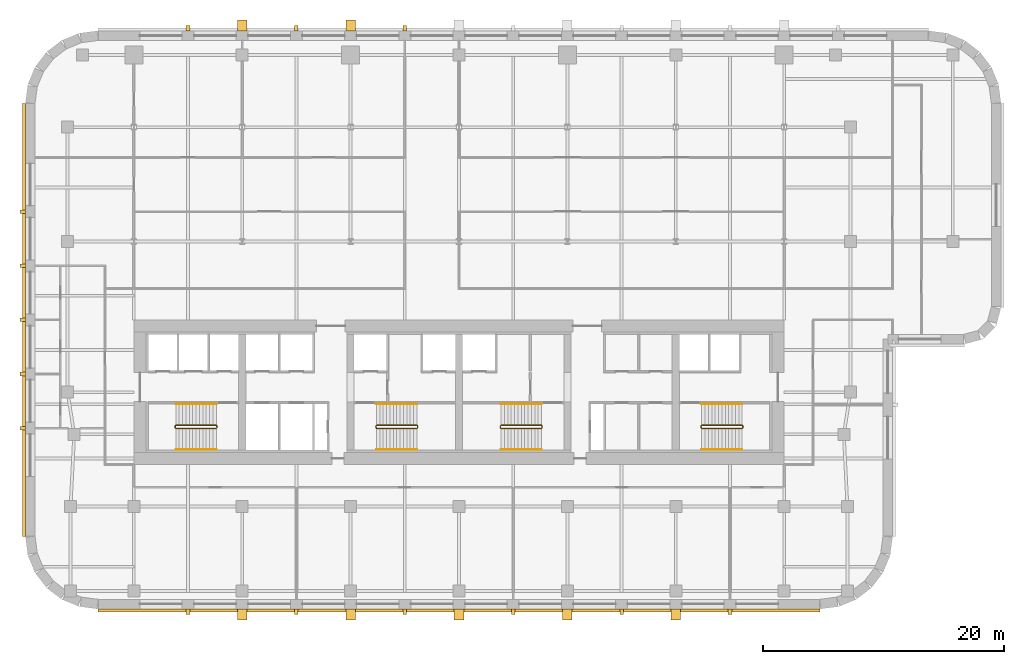
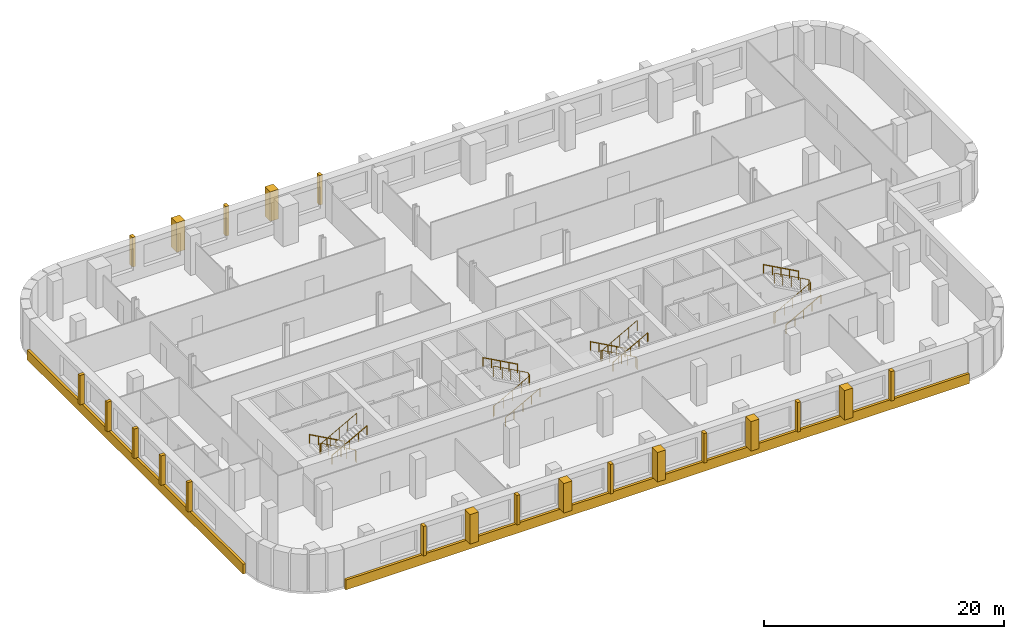
# One storey, part 9 of 10: 23 coverings, 12 railings.
"""IFC4 building model written with IfcOpenShell, lengths in metres."""

from ifc_helpers import new_model, si_unit, direction, frame, origin, origin_2d, place, context, subcontext, project, spatial, polyline, circle, outline, extrude, material, layer, layer_set, type_object, element, save


model = new_model("IFC4")

# Units and contexts
model_context = context("Model", 3, precision=1e-05, world=origin(), true_north=direction((0.0, 1.0)))
body_context = subcontext(model_context, "Body", "Model", "MODEL_VIEW")
ifc_project = project(units=[si_unit("LENGTHUNIT", "METRE"), si_unit("AREAUNIT", "SQUARE_METRE"), si_unit("VOLUMEUNIT", "CUBIC_METRE"), si_unit("PLANEANGLEUNIT", "RADIAN"), si_unit("MASSUNIT", "GRAM", prefix="KILO")], contexts=[model_context])

# Site, building, storey
site_placement = place(None, origin())
site = spatial("IfcSite", under=ifc_project, at=site_placement, CompositionType="ELEMENT")
building_placement = place(site_placement, origin())
building = spatial("IfcBuilding", under=site, at=building_placement, Name="Zellij Exchange Tower", CompositionType="ELEMENT")
storey_placement = place(building_placement, frame((0.0, 0.0, 128.5)))
storey = spatial("IfcBuildingStorey", under=building, at=storey_placement, Name="L28", CompositionType="ELEMENT", Elevation=128.5)

# Railings
ifc_material_1 = material(Name="Stainless steel", Category="steel")
railing_type_1 = type_object("IfcRailingType", Name="CORE-RG stair guard", PredefinedType="GUARDRAIL", material=ifc_material_1)
railing_1_placement = place(storey_placement, frame((-20.10009765625, -10.800048828125, 0.0)))
element("IfcRailing", 1, at=railing_1_placement, inside=storey, type_object=railing_type_1, Name="ST1 stair guard L28", PredefinedType="GUARDRAIL", context=body_context, shape_type="SweptSolid", body=[
    extrude(circle(Radius=0.02392578125, at=origin_2d()), frame((0.0, 0.0, 1.076171875), z_axis=(0.0, -1.0, 0.0), x_axis=(1.0, 0.0, 0.0)), (0.0, 0.0, 1.0), 0.14990234375),
    extrude(circle(Radius=0.02392578125, at=origin_2d()), frame((0.0, -0.14990234375, 1.076171875), z_axis=(-0.193691321961, 0.777613689637, 0.598164376644), x_axis=(-0.970351222016, -0.241699205484, 0.0)), (0.0, 0.0, 1.0), 0.257080078125),
    extrude(circle(Radius=0.02392578125, at=origin_2d()), frame((-0.0498046875, 0.050048828125, 1.22998046875), z_axis=(-0.876421534553, 0.0, 0.481544695509), x_axis=(0.0, -1.0, 0.0)), (0.0, 0.0, 1.0), 3.833984375),
    extrude(circle(Radius=0.02392578125, at=origin_2d()), frame((-3.409912109375, 0.050048828125, 3.076171875), z_axis=(-0.707106781187, -0.707106781187, 0.0), x_axis=(0.707106781187, -0.707106781187, 0.0)), (0.0, 0.0, 1.0), 0.07080078125),
    extrude(circle(Radius=0.02392578125, at=origin_2d()), frame((-3.4599609375, 0.0, 3.076171875), z_axis=(0.0, -1.0, 0.0), x_axis=(1.0, 0.0, 0.0)), (0.0, 0.0, 1.0), 0.14990234375),
    extrude(circle(Radius=0.02392578125, at=origin_2d()), frame((-3.4599609375, -0.14990234375, 3.076171875), z_axis=(0.295599637079, -0.295599637079, 0.908428152975), x_axis=(0.707106781187, 0.707106781187, 0.0)), (0.0, 0.0, 1.0), 0.16943359375),
    extrude(circle(Radius=0.02392578125, at=origin_2d()), frame((-3.409912109375, -0.199951171875, 3.22998046875), z_axis=(0.876421534553, 0.0, 0.481544695509), x_axis=(0.0, 1.0, 0.0)), (0.0, 0.0, 1.0), 3.833984375),
    extrude(circle(Radius=0.02099609375, at=origin_2d()), origin(), (0.0, 0.0, 1.0), 1.052001953125),
    extrude(circle(Radius=0.02099609375, at=origin_2d()), frame((0.0, -0.14990234375, 0.0)), (0.0, 0.0, 1.0), 1.052001953125),
    extrude(circle(Radius=0.02099609375, at=origin_2d()), frame((-0.0498046875, 0.050048828125, 0.15380859375)), (0.0, 0.0, 1.0), 1.052001953125),
    extrude(circle(Radius=0.02099609375, at=origin_2d()), frame((-0.889892578125, 0.050048828125, 0.615234375)), (0.0, 0.0, 1.0), 1.052001953125),
    extrude(circle(Radius=0.02099609375, at=origin_2d()), frame((-1.72998046875, 0.050048828125, 1.076904296875)), (0.0, 0.0, 1.0), 1.052001953125),
    extrude(circle(Radius=0.02099609375, at=origin_2d()), frame((-2.56982421875, 0.050048828125, 1.53857421875)), (0.0, 0.0, 1.0), 1.052001953125),
    extrude(circle(Radius=0.02099609375, at=origin_2d()), frame((-3.409912109375, 0.050048828125, 2.0)), (0.0, 0.0, 1.0), 1.052001953125),
    extrude(circle(Radius=0.02099609375, at=origin_2d()), frame((-3.4599609375, 0.0, 2.0)), (0.0, 0.0, 1.0), 1.052001953125),
    extrude(circle(Radius=0.02099609375, at=origin_2d()), frame((-3.4599609375, -0.14990234375, 2.0)), (0.0, 0.0, 1.0), 1.052001953125),
    extrude(circle(Radius=0.02099609375, at=origin_2d()), frame((-3.409912109375, -0.199951171875, 2.15380859375)), (0.0, 0.0, 1.0), 1.052001953125),
    extrude(circle(Radius=0.02099609375, at=origin_2d()), frame((-2.56982421875, -0.199951171875, 2.615234375)), (0.0, 0.0, 1.0), 1.052001953125),
    extrude(circle(Radius=0.02099609375, at=origin_2d()), frame((-1.72998046875, -0.199951171875, 3.076904296875)), (0.0, 0.0, 1.0), 1.052001953125),
    extrude(circle(Radius=0.02099609375, at=origin_2d()), frame((-0.889892578125, -0.199951171875, 3.53857421875)), (0.0, 0.0, 1.0), 1.052001953125),
    extrude(circle(Radius=0.02099609375, at=origin_2d()), frame((-0.0498046875, -0.199951171875, 4.0)), (0.0, 0.0, 1.0), 1.052001953125),
])
railing_2_placement = place(storey_placement, frame((-6.89990234375, -10.949951171875, 0.0)))
element("IfcRailing", 2, at=railing_2_placement, inside=storey, type_object=railing_type_1, Name="ST2 stair guard L28", PredefinedType="GUARDRAIL", context=body_context, shape_type="SweptSolid", body=[
    extrude(circle(Radius=0.02392578125, at=origin_2d()), frame((0.0, 0.0, 1.076171875), z_axis=(0.0, 1.0, 0.0), x_axis=(-1.0, 0.0, 0.0)), (0.0, 0.0, 1.0), 0.14990234375),
    extrude(circle(Radius=0.02392578125, at=origin_2d()), frame((0.0, 0.14990234375, 1.076171875), z_axis=(0.193691321961, -0.777613689637, 0.598164376644), x_axis=(0.970351222016, 0.241699205484, 0.0)), (0.0, 0.0, 1.0), 0.257080078125),
    extrude(circle(Radius=0.02392578125, at=origin_2d()), frame((0.0498046875, -0.050048828125, 1.22998046875), z_axis=(0.876421534553, 0.0, 0.481544695509), x_axis=(0.0, 1.0, 0.0)), (0.0, 0.0, 1.0), 3.833984375),
    extrude(circle(Radius=0.02392578125, at=origin_2d()), frame((3.409912109375, -0.050048828125, 3.076171875), z_axis=(0.707106781187, 0.707106781187, 0.0), x_axis=(-0.707106781187, 0.707106781187, 0.0)), (0.0, 0.0, 1.0), 0.07080078125),
    extrude(circle(Radius=0.02392578125, at=origin_2d()), frame((3.4599609375, 0.0, 3.076171875), z_axis=(0.0, 1.0, 0.0), x_axis=(-1.0, 0.0, 0.0)), (0.0, 0.0, 1.0), 0.14990234375),
    extrude(circle(Radius=0.02392578125, at=origin_2d()), frame((3.4599609375, 0.14990234375, 3.076171875), z_axis=(-0.295599637079, 0.295599637079, 0.908428152975), x_axis=(-0.707106781187, -0.707106781187, 0.0)), (0.0, 0.0, 1.0), 0.16943359375),
    extrude(circle(Radius=0.02392578125, at=origin_2d()), frame((3.409912109375, 0.199951171875, 3.22998046875), z_axis=(-0.876421534553, 0.0, 0.481544695509), x_axis=(0.0, -1.0, 0.0)), (0.0, 0.0, 1.0), 3.833984375),
    extrude(circle(Radius=0.02099609375, at=origin_2d()), origin(), (0.0, 0.0, 1.0), 1.052001953125),
    extrude(circle(Radius=0.02099609375, at=origin_2d()), frame((0.0, 0.14990234375, 0.0)), (0.0, 0.0, 1.0), 1.052001953125),
    extrude(circle(Radius=0.02099609375, at=origin_2d()), frame((0.0498046875, -0.050048828125, 0.15380859375)), (0.0, 0.0, 1.0), 1.052001953125),
    extrude(circle(Radius=0.02099609375, at=origin_2d()), frame((0.889892578125, -0.050048828125, 0.615234375)), (0.0, 0.0, 1.0), 1.052001953125),
    extrude(circle(Radius=0.02099609375, at=origin_2d()), frame((1.72998046875, -0.050048828125, 1.076904296875)), (0.0, 0.0, 1.0), 1.052001953125),
    extrude(circle(Radius=0.02099609375, at=origin_2d()), frame((2.56982421875, -0.050048828125, 1.53857421875)), (0.0, 0.0, 1.0), 1.052001953125),
    extrude(circle(Radius=0.02099609375, at=origin_2d()), frame((3.409912109375, -0.050048828125, 2.0)), (0.0, 0.0, 1.0), 1.052001953125),
    extrude(circle(Radius=0.02099609375, at=origin_2d()), frame((3.4599609375, 0.0, 2.0)), (0.0, 0.0, 1.0), 1.052001953125),
    extrude(circle(Radius=0.02099609375, at=origin_2d()), frame((3.4599609375, 0.14990234375, 2.0)), (0.0, 0.0, 1.0), 1.052001953125),
    extrude(circle(Radius=0.02099609375, at=origin_2d()), frame((3.409912109375, 0.199951171875, 2.15380859375)), (0.0, 0.0, 1.0), 1.052001953125),
    extrude(circle(Radius=0.02099609375, at=origin_2d()), frame((2.56982421875, 0.199951171875, 2.615234375)), (0.0, 0.0, 1.0), 1.052001953125),
    extrude(circle(Radius=0.02099609375, at=origin_2d()), frame((1.72998046875, 0.199951171875, 3.076904296875)), (0.0, 0.0, 1.0), 1.052001953125),
    extrude(circle(Radius=0.02099609375, at=origin_2d()), frame((0.889892578125, 0.199951171875, 3.53857421875)), (0.0, 0.0, 1.0), 1.052001953125),
    extrude(circle(Radius=0.02099609375, at=origin_2d()), frame((0.0498046875, 0.199951171875, 4.0)), (0.0, 0.0, 1.0), 1.052001953125),
])
railing_3_placement = place(storey_placement, frame((6.89990234375, -10.800048828125, 0.0)))
element("IfcRailing", 3, at=railing_3_placement, inside=storey, type_object=railing_type_1, Name="ST3 stair guard L28", PredefinedType="GUARDRAIL", context=body_context, shape_type="SweptSolid", body=[
    extrude(circle(Radius=0.02392578125, at=origin_2d()), frame((0.0, 0.0, 1.076171875), z_axis=(0.0, -1.0, 0.0), x_axis=(1.0, 0.0, 0.0)), (0.0, 0.0, 1.0), 0.14990234375),
    extrude(circle(Radius=0.02392578125, at=origin_2d()), frame((0.0, -0.14990234375, 1.076171875), z_axis=(-0.193691321961, 0.777613689637, 0.598164376644), x_axis=(-0.970351222016, -0.241699205484, 0.0)), (0.0, 0.0, 1.0), 0.257080078125),
    extrude(circle(Radius=0.02392578125, at=origin_2d()), frame((-0.0498046875, 0.050048828125, 1.22998046875), z_axis=(-0.876421534553, 0.0, 0.481544695509), x_axis=(0.0, -1.0, 0.0)), (0.0, 0.0, 1.0), 3.833984375),
    extrude(circle(Radius=0.02392578125, at=origin_2d()), frame((-3.409912109375, 0.050048828125, 3.076171875), z_axis=(-0.707106781187, -0.707106781187, 0.0), x_axis=(0.707106781187, -0.707106781187, 0.0)), (0.0, 0.0, 1.0), 0.07080078125),
    extrude(circle(Radius=0.02392578125, at=origin_2d()), frame((-3.4599609375, 0.0, 3.076171875), z_axis=(0.0, -1.0, 0.0), x_axis=(1.0, 0.0, 0.0)), (0.0, 0.0, 1.0), 0.14990234375),
    extrude(circle(Radius=0.02392578125, at=origin_2d()), frame((-3.4599609375, -0.14990234375, 3.076171875), z_axis=(0.295599637079, -0.295599637079, 0.908428152975), x_axis=(0.707106781187, 0.707106781187, 0.0)), (0.0, 0.0, 1.0), 0.16943359375),
    extrude(circle(Radius=0.02392578125, at=origin_2d()), frame((-3.409912109375, -0.199951171875, 3.22998046875), z_axis=(0.876421534553, 0.0, 0.481544695509), x_axis=(0.0, 1.0, 0.0)), (0.0, 0.0, 1.0), 3.833984375),
    extrude(circle(Radius=0.02099609375, at=origin_2d()), origin(), (0.0, 0.0, 1.0), 1.052001953125),
    extrude(circle(Radius=0.02099609375, at=origin_2d()), frame((0.0, -0.14990234375, 0.0)), (0.0, 0.0, 1.0), 1.052001953125),
    extrude(circle(Radius=0.02099609375, at=origin_2d()), frame((-0.0498046875, 0.050048828125, 0.15380859375)), (0.0, 0.0, 1.0), 1.052001953125),
    extrude(circle(Radius=0.02099609375, at=origin_2d()), frame((-0.889892578125, 0.050048828125, 0.615234375)), (0.0, 0.0, 1.0), 1.052001953125),
    extrude(circle(Radius=0.02099609375, at=origin_2d()), frame((-1.72998046875, 0.050048828125, 1.076904296875)), (0.0, 0.0, 1.0), 1.052001953125),
    extrude(circle(Radius=0.02099609375, at=origin_2d()), frame((-2.56982421875, 0.050048828125, 1.53857421875)), (0.0, 0.0, 1.0), 1.052001953125),
    extrude(circle(Radius=0.02099609375, at=origin_2d()), frame((-3.409912109375, 0.050048828125, 2.0)), (0.0, 0.0, 1.0), 1.052001953125),
    extrude(circle(Radius=0.02099609375, at=origin_2d()), frame((-3.4599609375, 0.0, 2.0)), (0.0, 0.0, 1.0), 1.052001953125),
    extrude(circle(Radius=0.02099609375, at=origin_2d()), frame((-3.4599609375, -0.14990234375, 2.0)), (0.0, 0.0, 1.0), 1.052001953125),
    extrude(circle(Radius=0.02099609375, at=origin_2d()), frame((-3.409912109375, -0.199951171875, 2.15380859375)), (0.0, 0.0, 1.0), 1.052001953125),
    extrude(circle(Radius=0.02099609375, at=origin_2d()), frame((-2.56982421875, -0.199951171875, 2.615234375)), (0.0, 0.0, 1.0), 1.052001953125),
    extrude(circle(Radius=0.02099609375, at=origin_2d()), frame((-1.72998046875, -0.199951171875, 3.076904296875)), (0.0, 0.0, 1.0), 1.052001953125),
    extrude(circle(Radius=0.02099609375, at=origin_2d()), frame((-0.889892578125, -0.199951171875, 3.53857421875)), (0.0, 0.0, 1.0), 1.052001953125),
    extrude(circle(Radius=0.02099609375, at=origin_2d()), frame((-0.0498046875, -0.199951171875, 4.0)), (0.0, 0.0, 1.0), 1.052001953125),
])
railing_4_placement = place(storey_placement, frame((20.10009765625, -10.949951171875, 0.0)))
element("IfcRailing", 4, at=railing_4_placement, inside=storey, type_object=railing_type_1, Name="ST4 stair guard L28", PredefinedType="GUARDRAIL", context=body_context, shape_type="SweptSolid", body=[
    extrude(circle(Radius=0.02392578125, at=origin_2d()), frame((0.0, 0.0, 1.076171875), z_axis=(0.0, 1.0, 0.0), x_axis=(-1.0, 0.0, 0.0)), (0.0, 0.0, 1.0), 0.14990234375),
    extrude(circle(Radius=0.02392578125, at=origin_2d()), frame((0.0, 0.14990234375, 1.076171875), z_axis=(0.193691321961, -0.777613689637, 0.598164376644), x_axis=(0.970351222016, 0.241699205484, 0.0)), (0.0, 0.0, 1.0), 0.257080078125),
    extrude(circle(Radius=0.02392578125, at=origin_2d()), frame((0.0498046875, -0.050048828125, 1.22998046875), z_axis=(0.876421534553, 0.0, 0.481544695509), x_axis=(0.0, 1.0, 0.0)), (0.0, 0.0, 1.0), 3.833984375),
    extrude(circle(Radius=0.02392578125, at=origin_2d()), frame((3.409912109375, -0.050048828125, 3.076171875), z_axis=(0.707106781187, 0.707106781187, 0.0), x_axis=(-0.707106781187, 0.707106781187, 0.0)), (0.0, 0.0, 1.0), 0.07080078125),
    extrude(circle(Radius=0.02392578125, at=origin_2d()), frame((3.4599609375, 0.0, 3.076171875), z_axis=(0.0, 1.0, 0.0), x_axis=(-1.0, 0.0, 0.0)), (0.0, 0.0, 1.0), 0.14990234375),
    extrude(circle(Radius=0.02392578125, at=origin_2d()), frame((3.4599609375, 0.14990234375, 3.076171875), z_axis=(-0.295599637079, 0.295599637079, 0.908428152975), x_axis=(-0.707106781187, -0.707106781187, 0.0)), (0.0, 0.0, 1.0), 0.16943359375),
    extrude(circle(Radius=0.02392578125, at=origin_2d()), frame((3.409912109375, 0.199951171875, 3.22998046875), z_axis=(-0.876421534553, 0.0, 0.481544695509), x_axis=(0.0, -1.0, 0.0)), (0.0, 0.0, 1.0), 3.833984375),
    extrude(circle(Radius=0.02099609375, at=origin_2d()), origin(), (0.0, 0.0, 1.0), 1.052001953125),
    extrude(circle(Radius=0.02099609375, at=origin_2d()), frame((0.0, 0.14990234375, 0.0)), (0.0, 0.0, 1.0), 1.052001953125),
    extrude(circle(Radius=0.02099609375, at=origin_2d()), frame((0.0498046875, -0.050048828125, 0.15380859375)), (0.0, 0.0, 1.0), 1.052001953125),
    extrude(circle(Radius=0.02099609375, at=origin_2d()), frame((0.889892578125, -0.050048828125, 0.615234375)), (0.0, 0.0, 1.0), 1.052001953125),
    extrude(circle(Radius=0.02099609375, at=origin_2d()), frame((1.72998046875, -0.050048828125, 1.076904296875)), (0.0, 0.0, 1.0), 1.052001953125),
    extrude(circle(Radius=0.02099609375, at=origin_2d()), frame((2.56982421875, -0.050048828125, 1.53857421875)), (0.0, 0.0, 1.0), 1.052001953125),
    extrude(circle(Radius=0.02099609375, at=origin_2d()), frame((3.409912109375, -0.050048828125, 2.0)), (0.0, 0.0, 1.0), 1.052001953125),
    extrude(circle(Radius=0.02099609375, at=origin_2d()), frame((3.4599609375, 0.0, 2.0)), (0.0, 0.0, 1.0), 1.052001953125),
    extrude(circle(Radius=0.02099609375, at=origin_2d()), frame((3.4599609375, 0.14990234375, 2.0)), (0.0, 0.0, 1.0), 1.052001953125),
    extrude(circle(Radius=0.02099609375, at=origin_2d()), frame((3.409912109375, 0.199951171875, 2.15380859375)), (0.0, 0.0, 1.0), 1.052001953125),
    extrude(circle(Radius=0.02099609375, at=origin_2d()), frame((2.56982421875, 0.199951171875, 2.615234375)), (0.0, 0.0, 1.0), 1.052001953125),
    extrude(circle(Radius=0.02099609375, at=origin_2d()), frame((1.72998046875, 0.199951171875, 3.076904296875)), (0.0, 0.0, 1.0), 1.052001953125),
    extrude(circle(Radius=0.02099609375, at=origin_2d()), frame((0.889892578125, 0.199951171875, 3.53857421875)), (0.0, 0.0, 1.0), 1.052001953125),
    extrude(circle(Radius=0.02099609375, at=origin_2d()), frame((0.0498046875, 0.199951171875, 4.0)), (0.0, 0.0, 1.0), 1.052001953125),
])
railing_type_2 = type_object("IfcRailingType", Name="CORE-RH stair handrail", PredefinedType="HANDRAIL", material=ifc_material_1)
railing_5_placement = place(storey_placement, frame((-20.14990234375, -9.0, 0.15380859375)))
element("IfcRailing", 5, at=railing_5_placement, inside=storey, type_object=railing_type_2, Name="ST1 stair handrail L28", PredefinedType="HANDRAIL", context=body_context, shape_type="SweptSolid", body=[
    extrude(circle(Radius=0.02392578125, at=origin_2d()), frame((0.0, 0.0, 0.8759765625), z_axis=(-0.876421534553, 0.0, 0.481544695509), x_axis=(0.0, -1.0, 0.0)), (0.0, 0.0, 1.0), 3.833984375),
    extrude(circle(Radius=0.02099609375, at=origin_2d()), origin(), (0.0, 0.0, 1.0), 0.851806640625),
    extrude(circle(Radius=0.02099609375, at=origin_2d()), frame((-0.840087890625, 0.0, 0.46142578125)), (0.0, 0.0, 1.0), 0.851806640625),
    extrude(circle(Radius=0.02099609375, at=origin_2d()), frame((-1.68017578125, 0.0, 0.923095703125)), (0.0, 0.0, 1.0), 0.851806640625),
    extrude(circle(Radius=0.02099609375, at=origin_2d()), frame((-2.52001953125, 0.0, 1.384765625)), (0.0, 0.0, 1.0), 0.851806640625),
    extrude(circle(Radius=0.02099609375, at=origin_2d()), frame((-3.360107421875, 0.0, 1.84619140625)), (0.0, 0.0, 1.0), 0.851806640625),
])
for number, where, name in (
    (6, (-23.510009765625, -12.75, 2.15380859375), "ST1 stair handrail L28"),
    (7, (-6.85009765625, -12.75, 0.15380859375), "ST2 stair handrail L28"),
):
    element("IfcRailing", number, at=place(storey_placement, frame(where)), inside=storey, type_object=railing_type_2, Name=name, PredefinedType="HANDRAIL", context=body_context, shape_type="SweptSolid", body=[
        extrude(circle(Radius=0.02392578125, at=origin_2d()), frame((0.0, 0.0, 0.8759765625), z_axis=(0.876421534553, 0.0, 0.481544695509), x_axis=(0.0, 1.0, 0.0)), (0.0, 0.0, 1.0), 3.833984375),
        extrude(circle(Radius=0.02099609375, at=origin_2d()), origin(), (0.0, 0.0, 1.0), 0.851806640625),
        extrude(circle(Radius=0.02099609375, at=origin_2d()), frame((0.840087890625, 0.0, 0.46142578125)), (0.0, 0.0, 1.0), 0.851806640625),
        extrude(circle(Radius=0.02099609375, at=origin_2d()), frame((1.68017578125, 0.0, 0.923095703125)), (0.0, 0.0, 1.0), 0.851806640625),
        extrude(circle(Radius=0.02099609375, at=origin_2d()), frame((2.52001953125, 0.0, 1.384765625)), (0.0, 0.0, 1.0), 0.851806640625),
        extrude(circle(Radius=0.02099609375, at=origin_2d()), frame((3.360107421875, 0.0, 1.84619140625)), (0.0, 0.0, 1.0), 0.851806640625),
    ])
for number, where, name in (
    (8, (-3.489990234375, -9.0, 2.15380859375), "ST2 stair handrail L28"),
    (9, (6.85009765625, -9.0, 0.15380859375), "ST3 stair handrail L28"),
):
    element("IfcRailing", number, at=place(storey_placement, frame(where)), inside=storey, type_object=railing_type_2, Name=name, PredefinedType="HANDRAIL", context=body_context, shape_type="SweptSolid", body=[
        extrude(circle(Radius=0.02392578125, at=origin_2d()), frame((0.0, 0.0, 0.8759765625), z_axis=(-0.876421534553, 0.0, 0.481544695509), x_axis=(0.0, -1.0, 0.0)), (0.0, 0.0, 1.0), 3.833984375),
        extrude(circle(Radius=0.02099609375, at=origin_2d()), origin(), (0.0, 0.0, 1.0), 0.851806640625),
        extrude(circle(Radius=0.02099609375, at=origin_2d()), frame((-0.840087890625, 0.0, 0.46142578125)), (0.0, 0.0, 1.0), 0.851806640625),
        extrude(circle(Radius=0.02099609375, at=origin_2d()), frame((-1.68017578125, 0.0, 0.923095703125)), (0.0, 0.0, 1.0), 0.851806640625),
        extrude(circle(Radius=0.02099609375, at=origin_2d()), frame((-2.52001953125, 0.0, 1.384765625)), (0.0, 0.0, 1.0), 0.851806640625),
        extrude(circle(Radius=0.02099609375, at=origin_2d()), frame((-3.360107421875, 0.0, 1.84619140625)), (0.0, 0.0, 1.0), 0.851806640625),
    ])
for number, where, name in (
    (10, (3.489990234375, -12.75, 2.15380859375), "ST3 stair handrail L28"),
    (11, (20.14990234375, -12.75, 0.15380859375), "ST4 stair handrail L28"),
):
    element("IfcRailing", number, at=place(storey_placement, frame(where)), inside=storey, type_object=railing_type_2, Name=name, PredefinedType="HANDRAIL", context=body_context, shape_type="SweptSolid", body=[
        extrude(circle(Radius=0.02392578125, at=origin_2d()), frame((0.0, 0.0, 0.8759765625), z_axis=(0.876421534553, 0.0, 0.481544695509), x_axis=(0.0, 1.0, 0.0)), (0.0, 0.0, 1.0), 3.833984375),
        extrude(circle(Radius=0.02099609375, at=origin_2d()), origin(), (0.0, 0.0, 1.0), 0.851806640625),
        extrude(circle(Radius=0.02099609375, at=origin_2d()), frame((0.840087890625, 0.0, 0.46142578125)), (0.0, 0.0, 1.0), 0.851806640625),
        extrude(circle(Radius=0.02099609375, at=origin_2d()), frame((1.68017578125, 0.0, 0.923095703125)), (0.0, 0.0, 1.0), 0.851806640625),
        extrude(circle(Radius=0.02099609375, at=origin_2d()), frame((2.52001953125, 0.0, 1.384765625)), (0.0, 0.0, 1.0), 0.851806640625),
        extrude(circle(Radius=0.02099609375, at=origin_2d()), frame((3.360107421875, 0.0, 1.84619140625)), (0.0, 0.0, 1.0), 0.851806640625),
    ])
railing_6_placement = place(storey_placement, frame((23.510009765625, -9.0, 2.15380859375)))
element("IfcRailing", 12, at=railing_6_placement, inside=storey, type_object=railing_type_2, Name="ST4 stair handrail L28", PredefinedType="HANDRAIL", context=body_context, shape_type="SweptSolid", body=[
    extrude(circle(Radius=0.02392578125, at=origin_2d()), frame((0.0, 0.0, 0.8759765625), z_axis=(-0.876421534553, 0.0, 0.481544695509), x_axis=(0.0, -1.0, 0.0)), (0.0, 0.0, 1.0), 3.833984375),
    extrude(circle(Radius=0.02099609375, at=origin_2d()), origin(), (0.0, 0.0, 1.0), 0.851806640625),
    extrude(circle(Radius=0.02099609375, at=origin_2d()), frame((-0.840087890625, 0.0, 0.46142578125)), (0.0, 0.0, 1.0), 0.851806640625),
    extrude(circle(Radius=0.02099609375, at=origin_2d()), frame((-1.68017578125, 0.0, 0.923095703125)), (0.0, 0.0, 1.0), 0.851806640625),
    extrude(circle(Radius=0.02099609375, at=origin_2d()), frame((-2.52001953125, 0.0, 1.384765625)), (0.0, 0.0, 1.0), 0.851806640625),
    extrude(circle(Radius=0.02099609375, at=origin_2d()), frame((-3.360107421875, 0.0, 1.84619140625)), (0.0, 0.0, 1.0), 0.851806640625),
])

# Coverings
ifc_material_2 = material(Name="Limestone cladding", Category="masonry")
covering_type_1 = type_object("IfcCoveringType", Name="ENV-CV5 Stone pier 800x900", PredefinedType="CLADDING", material=ifc_material_2)
covering_1_placement = place(storey_placement, frame((0.0, 0.0, 0.800048828125)))
element("IfcCovering", 13, at=covering_1_placement, inside=storey, type_object=covering_type_1, Name="Stone pier", PredefinedType="CLADDING", context=body_context, shape_type="SweptSolid", body=[
    extrude(outline(polyline([(-18.39990234375, -26.0), (-17.60009765625, -26.0), (-17.60009765625, -26.89990234375), (-18.39990234375, -26.89990234375), (-18.39990234375, -26.0)])), origin(), (0.0, 0.0, 1.0), 3.0),
])
covering_2_placement = place(storey_placement, frame((0.0, 0.0, 0.800048828125)))
element("IfcCovering", 14, at=covering_2_placement, inside=storey, type_object=covering_type_1, Name="Stone pier", PredefinedType="CLADDING", context=body_context, shape_type="SweptSolid", body=[
    extrude(outline(polyline([(-9.39990234375, -26.0), (-8.60009765625, -26.0), (-8.60009765625, -26.89990234375), (-9.39990234375, -26.89990234375), (-9.39990234375, -26.0)])), origin(), (0.0, 0.0, 1.0), 3.0),
])
covering_3_placement = place(storey_placement, frame((0.0, 0.0, 0.800048828125)))
element("IfcCovering", 15, at=covering_3_placement, inside=storey, type_object=covering_type_1, Name="Stone pier", PredefinedType="CLADDING", context=body_context, shape_type="SweptSolid", body=[
    extrude(outline(polyline([(-0.39990234375, -26.0), (0.39990234375, -26.0), (0.39990234375, -26.89990234375), (-0.39990234375, -26.89990234375), (-0.39990234375, -26.0)])), origin(), (0.0, 0.0, 1.0), 3.0),
])
covering_4_placement = place(storey_placement, frame((0.0, 0.0, 0.800048828125)))
element("IfcCovering", 16, at=covering_4_placement, inside=storey, type_object=covering_type_1, Name="Stone pier", PredefinedType="CLADDING", context=body_context, shape_type="SweptSolid", body=[
    extrude(outline(polyline([(8.60009765625, -26.0), (9.39990234375, -26.0), (9.39990234375, -26.89990234375), (8.60009765625, -26.89990234375), (8.60009765625, -26.0)])), origin(), (0.0, 0.0, 1.0), 3.0),
])
covering_5_placement = place(storey_placement, frame((0.0, 0.0, 0.800048828125)))
element("IfcCovering", 17, at=covering_5_placement, inside=storey, type_object=covering_type_1, Name="Stone pier", PredefinedType="CLADDING", context=body_context, shape_type="SweptSolid", body=[
    extrude(outline(polyline([(17.60009765625, -26.0), (18.39990234375, -26.0), (18.39990234375, -26.89990234375), (17.60009765625, -26.89990234375), (17.60009765625, -26.0)])), origin(), (0.0, 0.0, 1.0), 3.0),
])
covering_6_placement = place(storey_placement, frame((0.0, 0.0, 0.800048828125)))
element("IfcCovering", 18, at=covering_6_placement, inside=storey, type_object=covering_type_1, Name="Stone pier", PredefinedType="CLADDING", context=body_context, shape_type="SweptSolid", body=[
    extrude(outline(polyline([(-8.60009765625, 22.0), (-9.39990234375, 22.0), (-9.39990234375, 22.89990234375), (-8.60009765625, 22.89990234375), (-8.60009765625, 22.0)])), origin(), (0.0, 0.0, 1.0), 3.0),
])
covering_7_placement = place(storey_placement, frame((0.0, 0.0, 0.800048828125)))
element("IfcCovering", 19, at=covering_7_placement, inside=storey, type_object=covering_type_1, Name="Stone pier", PredefinedType="CLADDING", context=body_context, shape_type="SweptSolid", body=[
    extrude(outline(polyline([(-17.60009765625, 22.0), (-18.39990234375, 22.0), (-18.39990234375, 22.89990234375), (-17.60009765625, 22.89990234375), (-17.60009765625, 22.0)])), origin(), (0.0, 0.0, 1.0), 3.0),
])
covering_type_2 = type_object("IfcCoveringType", Name="ENV-CV7 Stone pier 300x450", PredefinedType="CLADDING", material=ifc_material_2)
covering_8_placement = place(storey_placement, frame((0.0, 0.0, 0.800048828125)))
element("IfcCovering", 20, at=covering_8_placement, inside=storey, type_object=covering_type_2, Name="Stone pier", PredefinedType="CLADDING", context=body_context, shape_type="SweptSolid", body=[
    extrude(outline(polyline([(-22.64990234375, -26.0), (-22.35009765625, -26.0), (-22.35009765625, -26.449951171875), (-22.64990234375, -26.449951171875), (-22.64990234375, -26.0)])), origin(), (0.0, 0.0, 1.0), 3.0),
])
covering_9_placement = place(storey_placement, frame((0.0, 0.0, 0.800048828125)))
element("IfcCovering", 21, at=covering_9_placement, inside=storey, type_object=covering_type_2, Name="Stone pier", PredefinedType="CLADDING", context=body_context, shape_type="SweptSolid", body=[
    extrude(outline(polyline([(-13.64990234375, -26.0), (-13.35009765625, -26.0), (-13.35009765625, -26.449951171875), (-13.64990234375, -26.449951171875), (-13.64990234375, -26.0)])), origin(), (0.0, 0.0, 1.0), 3.0),
])
covering_10_placement = place(storey_placement, frame((0.0, 0.0, 0.800048828125)))
element("IfcCovering", 22, at=covering_10_placement, inside=storey, type_object=covering_type_2, Name="Stone pier", PredefinedType="CLADDING", context=body_context, shape_type="SweptSolid", body=[
    extrude(outline(polyline([(-4.64990234375, -26.0), (-4.35009765625, -26.0), (-4.35009765625, -26.449951171875), (-4.64990234375, -26.449951171875), (-4.64990234375, -26.0)])), origin(), (0.0, 0.0, 1.0), 3.0),
])
covering_11_placement = place(storey_placement, frame((0.0, 0.0, 0.800048828125)))
element("IfcCovering", 23, at=covering_11_placement, inside=storey, type_object=covering_type_2, Name="Stone pier", PredefinedType="CLADDING", context=body_context, shape_type="SweptSolid", body=[
    extrude(outline(polyline([(4.35009765625, -26.0), (4.64990234375, -26.0), (4.64990234375, -26.449951171875), (4.35009765625, -26.449951171875), (4.35009765625, -26.0)])), origin(), (0.0, 0.0, 1.0), 3.0),
])
covering_12_placement = place(storey_placement, frame((0.0, 0.0, 0.800048828125)))
element("IfcCovering", 24, at=covering_12_placement, inside=storey, type_object=covering_type_2, Name="Stone pier", PredefinedType="CLADDING", context=body_context, shape_type="SweptSolid", body=[
    extrude(outline(polyline([(13.35009765625, -26.0), (13.64990234375, -26.0), (13.64990234375, -26.449951171875), (13.35009765625, -26.449951171875), (13.35009765625, -26.0)])), origin(), (0.0, 0.0, 1.0), 3.0),
])
covering_13_placement = place(storey_placement, frame((0.0, 0.0, 0.800048828125)))
element("IfcCovering", 25, at=covering_13_placement, inside=storey, type_object=covering_type_2, Name="Stone pier", PredefinedType="CLADDING", context=body_context, shape_type="SweptSolid", body=[
    extrude(outline(polyline([(22.35009765625, -26.0), (22.64990234375, -26.0), (22.64990234375, -26.449951171875), (22.35009765625, -26.449951171875), (22.35009765625, -26.0)])), origin(), (0.0, 0.0, 1.0), 3.0),
])
covering_14_placement = place(storey_placement, frame((0.0, 0.0, 0.800048828125)))
element("IfcCovering", 26, at=covering_14_placement, inside=storey, type_object=covering_type_2, Name="Stone pier", PredefinedType="CLADDING", context=body_context, shape_type="SweptSolid", body=[
    extrude(outline(polyline([(-4.35009765625, 22.0), (-4.64990234375, 22.0), (-4.64990234375, 22.449951171875), (-4.35009765625, 22.449951171875), (-4.35009765625, 22.0)])), origin(), (0.0, 0.0, 1.0), 3.0),
])
covering_15_placement = place(storey_placement, frame((0.0, 0.0, 0.800048828125)))
element("IfcCovering", 27, at=covering_15_placement, inside=storey, type_object=covering_type_2, Name="Stone pier", PredefinedType="CLADDING", context=body_context, shape_type="SweptSolid", body=[
    extrude(outline(polyline([(-13.35009765625, 22.0), (-13.64990234375, 22.0), (-13.64990234375, 22.449951171875), (-13.35009765625, 22.449951171875), (-13.35009765625, 22.0)])), origin(), (0.0, 0.0, 1.0), 3.0),
])
covering_16_placement = place(storey_placement, frame((0.0, 0.0, 0.800048828125)))
element("IfcCovering", 28, at=covering_16_placement, inside=storey, type_object=covering_type_2, Name="Stone pier", PredefinedType="CLADDING", context=body_context, shape_type="SweptSolid", body=[
    extrude(outline(polyline([(-22.35009765625, 22.0), (-22.64990234375, 22.0), (-22.64990234375, 22.449951171875), (-22.35009765625, 22.449951171875), (-22.35009765625, 22.0)])), origin(), (0.0, 0.0, 1.0), 3.0),
])
covering_17_placement = place(storey_placement, frame((0.0, 0.0, 0.800048828125)))
element("IfcCovering", 29, at=covering_17_placement, inside=storey, type_object=covering_type_2, Name="Stone pier", PredefinedType="CLADDING", context=body_context, shape_type="SweptSolid", body=[
    extrude(outline(polyline([(-36.0, 7.136962890625), (-36.0, 6.8369140625), (-36.449951171875, 6.8369140625), (-36.449951171875, 7.136962890625), (-36.0, 7.136962890625)])), origin(), (0.0, 0.0, 1.0), 3.0),
])
covering_18_placement = place(storey_placement, frame((0.0, 0.0, 0.800048828125)))
element("IfcCovering", 30, at=covering_18_placement, inside=storey, type_object=covering_type_2, Name="Stone pier", PredefinedType="CLADDING", context=body_context, shape_type="SweptSolid", body=[
    extrude(outline(polyline([(-36.0, 2.6435546875), (-36.0, 2.343505859375), (-36.449951171875, 2.343505859375), (-36.449951171875, 2.6435546875), (-36.0, 2.6435546875)])), origin(), (0.0, 0.0, 1.0), 3.0),
])
covering_19_placement = place(storey_placement, frame((0.0, 0.0, 0.800048828125)))
element("IfcCovering", 31, at=covering_19_placement, inside=storey, type_object=covering_type_2, Name="Stone pier", PredefinedType="CLADDING", context=body_context, shape_type="SweptSolid", body=[
    extrude(outline(polyline([(-36.0, -1.85009765625), (-36.0, -2.14990234375), (-36.449951171875, -2.14990234375), (-36.449951171875, -1.85009765625), (-36.0, -1.85009765625)])), origin(), (0.0, 0.0, 1.0), 3.0),
])
covering_20_placement = place(storey_placement, frame((0.0, 0.0, 0.800048828125)))
element("IfcCovering", 32, at=covering_20_placement, inside=storey, type_object=covering_type_2, Name="Stone pier", PredefinedType="CLADDING", context=body_context, shape_type="SweptSolid", body=[
    extrude(outline(polyline([(-36.0, -6.343505859375), (-36.0, -6.643310546875), (-36.449951171875, -6.643310546875), (-36.449951171875, -6.343505859375), (-36.0, -6.343505859375)])), origin(), (0.0, 0.0, 1.0), 3.0),
])
covering_21_placement = place(storey_placement, frame((0.0, 0.0, 0.800048828125)))
element("IfcCovering", 33, at=covering_21_placement, inside=storey, type_object=covering_type_2, Name="Stone pier", PredefinedType="CLADDING", context=body_context, shape_type="SweptSolid", body=[
    extrude(outline(polyline([(-36.0, -10.8369140625), (-36.0, -11.136962890625), (-36.449951171875, -11.136962890625), (-36.449951171875, -10.8369140625), (-36.0, -10.8369140625)])), origin(), (0.0, 0.0, 1.0), 3.0),
])
ifc_layer = layer(ifc_material_2, 0.25)
ifc_layer_set = layer_set([ifc_layer], Name="Limestone cladding")
covering_type_3 = type_object("IfcCoveringType", Name="ENV-CV8 Stone spandrel band 250", PredefinedType="CLADDING", material=ifc_layer_set)
covering_22_placement = place(storey_placement, frame((0.0, 0.0, -0.199951171875)))
element("IfcCovering", 34, at=covering_22_placement, inside=storey, type_object=covering_type_3, Name="Stone spandrel band", PredefinedType="CLADDING", context=body_context, shape_type="SweptSolid", body=[
    extrude(outline(polyline([(-29.973876953125, -26.0), (29.973876953125, -26.0), (29.990234375, -26.25), (-29.990234375, -26.25), (-29.973876953125, -26.0)])), origin(), (0.0, 0.0, 1.0), 1.0),
])
covering_23_placement = place(storey_placement, frame((0.0, 0.0, -0.199951171875)))
element("IfcCovering", 35, at=covering_23_placement, inside=storey, type_object=covering_type_3, Name="Stone spandrel band", PredefinedType="CLADDING", context=body_context, shape_type="SweptSolid", body=[
    extrude(outline(polyline([(-36.0, 15.973876953125), (-36.0, -19.973876953125), (-36.25, -19.990234375), (-36.25, 15.990234375), (-36.0, 15.973876953125)])), origin(), (0.0, 0.0, 1.0), 1.0),
])

save(model, "model.ifc")
